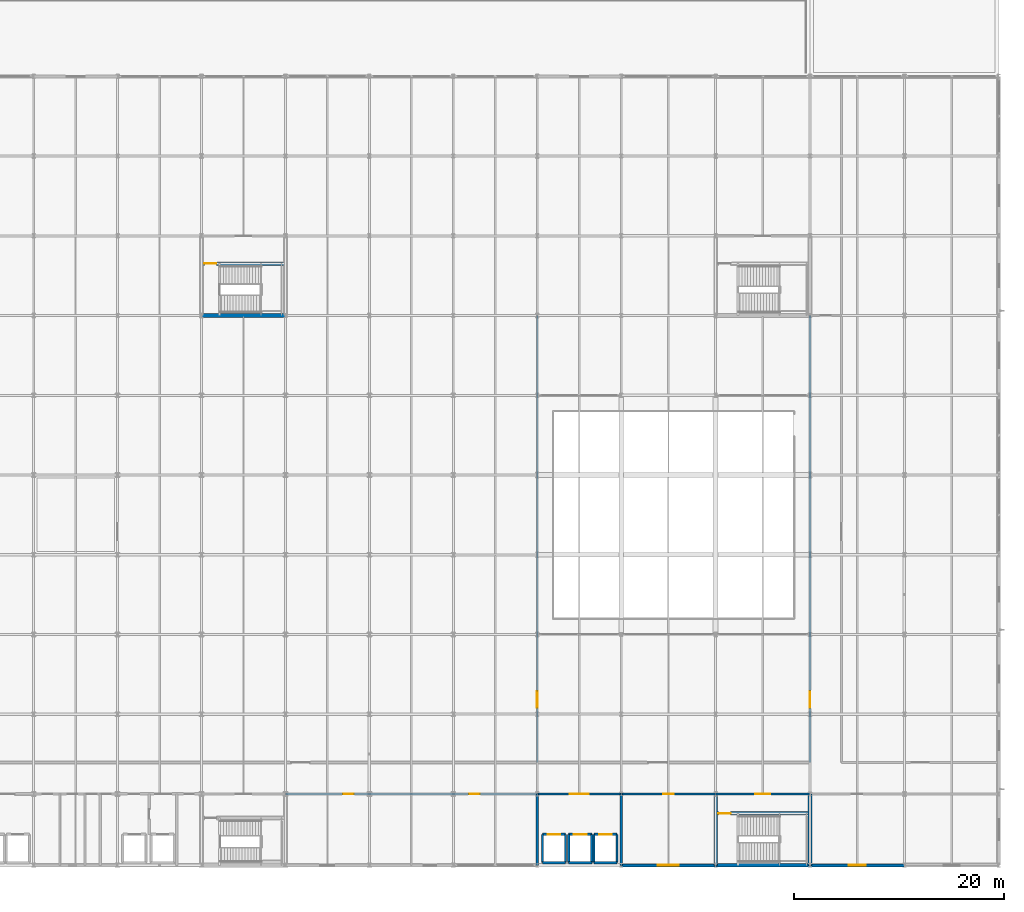
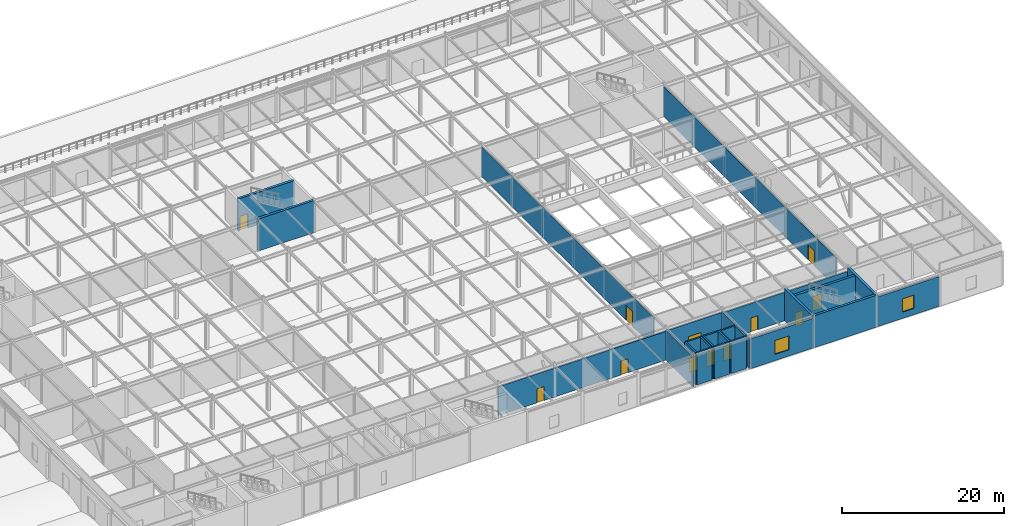
# One storey, part 61 of 79: 28 walls, 12 doors, 2 windows, 14 openings.
"""IFC4 building model written with IfcOpenShell, lengths in metres."""

from ifc_helpers import new_model, si_unit, direction, frame, frame_2d, origin, place, context, subcontext, project, spatial, rectangle, extrude, material, layer, layer_set, type_object, element, fill, save


model = new_model("IFC4")

# Units and contexts
model_context = context("Model", 3, precision=1e-05, world=origin(), true_north=direction((0.0, 1.0)))
body_context = subcontext(model_context, "Body", "Model", "MODEL_VIEW")
ifc_project = project(units=[si_unit("LENGTHUNIT", "METRE"), si_unit("AREAUNIT", "SQUARE_METRE"), si_unit("VOLUMEUNIT", "CUBIC_METRE"), si_unit("PLANEANGLEUNIT", "RADIAN"), si_unit("MASSUNIT", "GRAM", prefix="KILO")], contexts=[model_context])

# Site, building, storey
site_placement = place(None, origin())
site = spatial("IfcSite", under=ifc_project, at=site_placement, CompositionType="ELEMENT")
building_placement = place(site_placement, origin())
building = spatial("IfcBuilding", under=site, at=building_placement, Name="Shalkamar Park Central Library", CompositionType="ELEMENT")
storey_placement = place(building_placement, frame((0.0, 0.0, 10.5)))
storey = spatial("IfcBuildingStorey", under=building, at=storey_placement, Name="L03", CompositionType="ELEMENT", Elevation=10.5)

# Wall, opening, door
ifc_material_1 = material(Name="Acoustic insulated reading partition", Category="masonry")
ifc_layer_1 = layer(ifc_material_1, 0.139892578125)
ifc_layer_set_1 = layer_set([ifc_layer_1], Name="AcousticPartition_140")
wall_type_1 = type_object("IfcWallType", Name="Acoustic Partition 140", PredefinedType="PARTITIONING", material=ifc_layer_set_1)
wall_1_placement = place(storey_placement, frame((229.0, 258.199951171875, 0.0), z_axis=(0.0, 0.0, 1.0), x_axis=(0.0, 1.0, 0.0)))
wall_1 = element("IfcWall", 1, at=wall_1_placement, inside=storey, type_object=wall_type_1, Name="Interior Partition WL-INT-L03-025", PredefinedType="PARTITIONING", context=body_context, shape_type="SweptSolid", body=[
    extrude(rectangle(XDim=42.60009765625, YDim=0.139892578125, at=frame_2d((21.300048828125, 0.0))), origin(), (0.0, 0.0, 1.0), 4.47802734375),
])
opening_1_placement = place(wall_1_placement, frame((5.199951171875, 0.0, 0.0)))
opening_1 = element("IfcOpeningElement", 2, at=opening_1_placement, cuts=wall_1, Name="Opening DR-L03-025", PredefinedType="OPENING", context=body_context, shape_type="SweptSolid", body=[
    extrude(rectangle(XDim=1.60009765625, YDim=2.25, at=frame_2d((0.800048828125, 1.125))), frame((0.0, 0.0849609375, 0.0), z_axis=(0.0, -1.0, 0.0), x_axis=(1.0, 0.0, 0.0)), (0.0, 0.0, 1.0), 0.169677734375),
])
ifc_material_2 = material(Name="Steel S355", Category="steel")
door_type_1 = type_object("IfcDoorType", Name="Interior Door Double 1600x2250", OperationType="DOUBLE_DOOR_SINGLE_SWING", PredefinedType="DOOR", material=ifc_material_2)
door_1_placement = place(opening_1_placement, origin())
door_1 = element("IfcDoor", 3, at=door_1_placement, inside=storey, type_object=door_type_1, Name="Atrium L03 West Gallery Door", OperationType="DOUBLE_DOOR_SINGLE_SWING", OverallHeight=2.25, OverallWidth=1.60009765625, PredefinedType="DOOR", context=body_context, shape_type="SweptSolid", body=[
    extrude(rectangle(XDim=1.60009765625, YDim=2.25, at=frame_2d((0.800048828125, 1.125))), frame((0.0, 0.02490234375, 0.0), z_axis=(0.0, -1.0, 0.0), x_axis=(1.0, 0.0, 0.0)), (0.0, 0.0, 1.0), 0.050048828125),
])
fill(opening_1, door_1)

ifc_material_3 = material(Name="Fire-rated corridor partition wall", Category="masonry")
ifc_layer_2 = layer(ifc_material_3, 0.199951171875)
ifc_layer_set_2 = layer_set([ifc_layer_2], Name="CorridorFireWall_200")
wall_type_2 = type_object("IfcWallType", Name="Corridor Fire Wall 200", PredefinedType="PARTITIONING", material=ifc_layer_set_2)
wall_2_placement = place(storey_placement, frame((246.0, 255.199951171875, 0.0), z_axis=(0.0, 0.0, 1.0), x_axis=(1.0, 0.0, 0.0)))
wall_2 = element("IfcWall", 4, at=wall_2_placement, inside=storey, type_object=wall_type_2, Name="CORE-P3 Vestibule North Wall (L03)", PredefinedType="PARTITIONING", context=body_context, shape_type="SweptSolid", body=[
    extrude(rectangle(XDim=9.0, YDim=0.199951171875, at=frame_2d((4.5, 0.0))), origin(), (0.0, 0.0, 1.0), 4.2880859375),
])
opening_2_placement = place(wall_2_placement, frame((3.77490234375, 0.0, 0.0)))
opening_2 = element("IfcOpeningElement", 5, at=opening_2_placement, cuts=wall_2, Name="Opening DR-ST-P3-L03-VEST", PredefinedType="OPENING", context=body_context, shape_type="SweptSolid", body=[
    extrude(rectangle(XDim=1.449951171875, YDim=2.199951171875, at=frame_2d((0.72509765625, 1.10009765625))), frame((0.0, 0.11474609375, 0.0), z_axis=(0.0, -1.0, 0.0), x_axis=(1.0, 0.0, 0.0)), (0.0, 0.0, 1.0), 0.229736328125),
])
door_type_2 = type_object("IfcDoorType", Name="Stair Vestibule Door 1450x2200", OperationType="DOUBLE_DOOR_SINGLE_SWING", PredefinedType="DOOR", material=ifc_material_2)
door_2_placement = place(opening_2_placement, frame((1.449951171875, 0.0, 0.0), z_axis=(0.0, 0.0, 1.0), x_axis=(-1.0, 0.0, 0.0)))
door_2 = element("IfcDoor", 6, at=door_2_placement, inside=storey, type_object=door_type_2, Name="Protected Stair ST-P3 Vestibule Door (L03)", OperationType="DOUBLE_DOOR_SINGLE_SWING", OverallHeight=2.199951171875, OverallWidth=1.449951171875, PredefinedType="DOOR", context=body_context, shape_type="SweptSolid", body=[
    extrude(rectangle(XDim=1.449951171875, YDim=2.199951171875, at=frame_2d((0.72509765625, 1.10009765625))), frame((0.0, 0.02490234375, 0.0), z_axis=(0.0, -1.0, 0.0), x_axis=(1.0, 0.0, 0.0)), (0.0, 0.0, 1.0), 0.050048828125),
])
fill(opening_2, door_2)

wall_3_placement = place(storey_placement, frame((229.0, 255.199951171875, 0.0), z_axis=(0.0, 0.0, 1.0), x_axis=(1.0, 0.0, 0.0)))
wall_3 = element("IfcWall", 7, at=wall_3_placement, inside=storey, type_object=wall_type_2, Name="Interior Partition WL-INT-L03-012", PredefinedType="PARTITIONING", context=body_context, shape_type="SweptSolid", body=[
    extrude(rectangle(XDim=8.0, YDim=0.199951171875, at=frame_2d((4.0, 0.0))), origin(), (0.0, 0.0, 1.0), 4.387939453125),
])
opening_3_placement = place(wall_3_placement, frame((3.10009765625, 0.0, 0.0)))
opening_3 = element("IfcOpeningElement", 8, at=opening_3_placement, cuts=wall_3, Name="Opening DR-L03-012", PredefinedType="OPENING", context=body_context, shape_type="SweptSolid", body=[
    extrude(rectangle(XDim=1.800048828125, YDim=2.39990234375, at=frame_2d((0.89990234375, 1.199951171875))), frame((0.0, 0.11474609375, 0.0), z_axis=(0.0, -1.0, 0.0), x_axis=(1.0, 0.0, 0.0)), (0.0, 0.0, 1.0), 0.229736328125),
])
door_type_3 = type_object("IfcDoorType", Name="Interior Door Double 1800x2400", OperationType="DOUBLE_DOOR_SINGLE_SWING", PredefinedType="DOOR", material=ifc_material_2)
door_3_placement = place(opening_3_placement, origin())
door_3 = element("IfcDoor", 9, at=door_3_placement, inside=storey, type_object=door_type_3, Name="Podium Lift Lobby Entrance", OperationType="DOUBLE_DOOR_SINGLE_SWING", OverallHeight=2.39990234375, OverallWidth=1.800048828125, PredefinedType="DOOR", context=body_context, shape_type="SweptSolid", body=[
    extrude(rectangle(XDim=1.800048828125, YDim=2.39990234375, at=frame_2d((0.89990234375, 1.199951171875))), frame((0.0, 0.02490234375, 0.0), z_axis=(0.0, -1.0, 0.0), x_axis=(1.0, 0.0, 0.0)), (0.0, 0.0, 1.0), 0.050048828125),
])
fill(opening_3, door_3)

# Wall, openings, doors
wall_4_placement = place(storey_placement, frame((205.0, 255.199951171875, 0.0), z_axis=(0.0, 0.0, 1.0), x_axis=(1.0, 0.0, 0.0)))
wall_4 = element("IfcWall", 10, at=wall_4_placement, inside=storey, type_object=wall_type_2, Name="Interior Partition WL-INT-L03-014", PredefinedType="PARTITIONING", context=body_context, shape_type="SweptSolid", body=[
    extrude(rectangle(XDim=24.0, YDim=0.199951171875, at=frame_2d((12.0, 0.0))), origin(), (0.0, 0.0, 1.0), 4.337890625),
])
opening_4_placement = place(wall_4_placement, frame((5.5, 0.0, 0.0)))
opening_4 = element("IfcOpeningElement", 11, at=opening_4_placement, cuts=wall_4, Name="Opening DR-L03-014", PredefinedType="OPENING", context=body_context, shape_type="SweptSolid", body=[
    extrude(rectangle(XDim=1.0, YDim=2.10009765625, at=frame_2d((0.5, 1.050048828125))), frame((0.0, 0.11474609375, 0.0), z_axis=(0.0, -1.0, 0.0), x_axis=(1.0, 0.0, 0.0)), (0.0, 0.0, 1.0), 0.229736328125),
])
opening_5_placement = place(wall_4_placement, frame((17.5, 0.0, 0.0)))
opening_5 = element("IfcOpeningElement", 12, at=opening_5_placement, cuts=wall_4, Name="Opening DR-L03-015", PredefinedType="OPENING", context=body_context, shape_type="SweptSolid", body=[
    extrude(rectangle(XDim=1.0, YDim=2.10009765625, at=frame_2d((0.5, 1.050048828125))), frame((0.0, 0.11474609375, 0.0), z_axis=(0.0, -1.0, 0.0), x_axis=(1.0, 0.0, 0.0)), (0.0, 0.0, 1.0), 0.229736328125),
])
door_type_4 = type_object("IfcDoorType", Name="Interior Door Single 1000x2100", OperationType="NOTDEFINED", PredefinedType="DOOR", material=ifc_material_2)
door_4_placement = place(opening_4_placement, frame((1.0, 0.0, 0.0), z_axis=(0.0, 0.0, 1.0), x_axis=(-1.0, 0.0, 0.0)))
door_4 = element("IfcDoor", 13, at=door_4_placement, inside=storey, type_object=door_type_4, Name="L03 South Seminar Door", OperationType="SINGLE_SWING_RIGHT", OverallHeight=2.10009765625, OverallWidth=1.0, PredefinedType="DOOR", context=body_context, shape_type="SweptSolid", body=[
    extrude(rectangle(XDim=1.0, YDim=2.10009765625, at=frame_2d((0.5, 1.050048828125))), frame((0.0, 0.02490234375, 0.0), z_axis=(0.0, -1.0, 0.0), x_axis=(1.0, 0.0, 0.0)), (0.0, 0.0, 1.0), 0.050048828125),
])
fill(opening_4, door_4)
door_5_placement = place(opening_5_placement, frame((1.0, 0.0, 0.0), z_axis=(0.0, 0.0, 1.0), x_axis=(-1.0, 0.0, 0.0)))
door_5 = element("IfcDoor", 14, at=door_5_placement, inside=storey, type_object=door_type_4, Name="L03 South Study Door", OperationType="SINGLE_SWING_LEFT", OverallHeight=2.10009765625, OverallWidth=1.0, PredefinedType="DOOR", context=body_context, shape_type="SweptSolid", body=[
    extrude(rectangle(XDim=1.0, YDim=2.10009765625, at=frame_2d((0.5, 1.050048828125))), frame((0.0, 0.02490234375, 0.0), z_axis=(0.0, -1.0, 0.0), x_axis=(1.0, 0.0, 0.0)), (0.0, 0.0, 1.0), 0.050048828125),
])
fill(opening_5, door_5)

# Wall, opening, door
wall_5_placement = place(storey_placement, frame((237.0, 255.199951171875, 0.0), z_axis=(0.0, 0.0, 1.0), x_axis=(1.0, 0.0, 0.0)))
wall_5 = element("IfcWall", 15, at=wall_5_placement, inside=storey, type_object=wall_type_2, Name="Interior Partition WL-INT-L03-016", PredefinedType="PARTITIONING", context=body_context, shape_type="SweptSolid", body=[
    extrude(rectangle(XDim=9.0, YDim=0.199951171875, at=frame_2d((4.5, 0.0))), origin(), (0.0, 0.0, 1.0), 4.2880859375),
])
opening_6_placement = place(wall_5_placement, frame((4.0, 0.0, 0.0)))
opening_6 = element("IfcOpeningElement", 16, at=opening_6_placement, cuts=wall_5, Name="Opening DR-L03-016", PredefinedType="OPENING", context=body_context, shape_type="SweptSolid", body=[
    extrude(rectangle(XDim=1.0, YDim=2.10009765625, at=frame_2d((0.5, 1.050048828125))), frame((0.0, 0.11474609375, 0.0), z_axis=(0.0, -1.0, 0.0), x_axis=(1.0, 0.0, 0.0)), (0.0, 0.0, 1.0), 0.229736328125),
])
door_6_placement = place(opening_6_placement, frame((1.0, 0.0, 0.0), z_axis=(0.0, 0.0, 1.0), x_axis=(-1.0, 0.0, 0.0)))
door_6 = element("IfcDoor", 17, at=door_6_placement, inside=storey, type_object=door_type_4, Name="L03 Reference Desk Office Door", OperationType="SINGLE_SWING_RIGHT", OverallHeight=2.10009765625, OverallWidth=1.0, PredefinedType="DOOR", context=body_context, shape_type="SweptSolid", body=[
    extrude(rectangle(XDim=1.0, YDim=2.10009765625, at=frame_2d((0.5, 1.050048828125))), frame((0.0, 0.02490234375, 0.0), z_axis=(0.0, -1.0, 0.0), x_axis=(1.0, 0.0, 0.0)), (0.0, 0.0, 1.0), 0.050048828125),
])
fill(opening_6, door_6)

wall_6_placement = place(storey_placement, frame((255.0, 258.199951171875, 0.0), z_axis=(0.0, 0.0, 1.0), x_axis=(0.0, 1.0, 0.0)))
wall_6 = element("IfcWall", 18, at=wall_6_placement, inside=storey, type_object=wall_type_2, Name="Interior Partition WL-INT-L03-026", PredefinedType="PARTITIONING", context=body_context, shape_type="SweptSolid", body=[
    extrude(rectangle(XDim=42.60009765625, YDim=0.199951171875, at=frame_2d((21.300048828125, 0.0))), origin(), (0.0, 0.0, 1.0), 4.47802734375),
])
opening_7_placement = place(wall_6_placement, frame((5.199951171875, 0.0, 0.0)))
opening_7 = element("IfcOpeningElement", 19, at=opening_7_placement, cuts=wall_6, Name="Opening DR-L03-026", PredefinedType="OPENING", context=body_context, shape_type="SweptSolid", body=[
    extrude(rectangle(XDim=1.60009765625, YDim=2.25, at=frame_2d((0.800048828125, 1.125))), frame((0.0, 0.11474609375, 0.0), z_axis=(0.0, -1.0, 0.0), x_axis=(1.0, 0.0, 0.0)), (0.0, 0.0, 1.0), 0.229736328125),
])
door_7_placement = place(opening_7_placement, origin())
door_7 = element("IfcDoor", 20, at=door_7_placement, inside=storey, type_object=door_type_1, Name="Atrium L03 East Gallery Door", OperationType="DOUBLE_DOOR_SINGLE_SWING", OverallHeight=2.25, OverallWidth=1.60009765625, PredefinedType="DOOR", context=body_context, shape_type="SweptSolid", body=[
    extrude(rectangle(XDim=1.60009765625, YDim=2.25, at=frame_2d((0.800048828125, 1.125))), frame((0.0, 0.02490234375, 0.0), z_axis=(0.0, -1.0, 0.0), x_axis=(1.0, 0.0, 0.0)), (0.0, 0.0, 1.0), 0.050048828125),
])
fill(opening_7, door_7)

# Walls
ifc_material_4 = material(Name="Concrete C40/50", Category="concrete")
ifc_layer_3 = layer(ifc_material_4, 0.219970703125)
ifc_layer_set_3 = layer_set([ifc_layer_3], Name="Concrete C40/50")
wall_type_3 = type_object("IfcWallType", Name="Lift Hoistway Shear Wall 220", PredefinedType="SHEAR", material=ifc_layer_set_3)
wall_7_placement = place(storey_placement, frame((229.5, 248.64990234375, 0.0), z_axis=(0.0, 0.0, 1.0), x_axis=(1.0, 0.0, 0.0)))
element("IfcWall", 21, at=wall_7_placement, inside=storey, type_object=wall_type_3, Name="Lift LP-01 Hoistway South Wall (L03)", PredefinedType="SHEAR", context=body_context, shape_type="SweptSolid", body=[
    extrude(rectangle(XDim=2.199951171875, YDim=0.219970703125, at=frame_2d((1.10009765625, 0.0))), origin(), (0.0, 0.0, 1.0), 4.840087890625),
])
for number, where, z_axis, x_axis, name in (
    (22, (229.5, 248.64990234375, 0.0), (0.0, 0.0, 1.0), (0.0, 1.0, 0.0), "Lift LP-01 Hoistway West Wall (L03)"),
    (23, (231.699951171875, 248.64990234375, 0.0), (0.0, 0.0, 1.0), (0.0, 1.0, 0.0), "Lift LP-01 Hoistway East Wall (L03)"),
):
    element("IfcWall", number, at=place(storey_placement, frame(where, z_axis=z_axis, x_axis=x_axis)), inside=storey, type_object=wall_type_3, Name=name, PredefinedType="SHEAR", context=body_context, shape_type="SweptSolid", body=[
        extrude(rectangle(XDim=2.7001953125, YDim=0.219970703125, at=frame_2d((1.35009765625, 0.0))), origin(), (0.0, 0.0, 1.0), 4.840087890625),
    ])

# Wall, opening, door
wall_8_placement = place(storey_placement, frame((229.5, 251.35009765625, 0.0), z_axis=(0.0, 0.0, 1.0), x_axis=(1.0, 0.0, 0.0)))
wall_8 = element("IfcWall", 24, at=wall_8_placement, inside=storey, type_object=wall_type_3, Name="Lift LP-01 Hoistway Front Wall (L03)", PredefinedType="SHEAR", context=body_context, shape_type="SweptSolid", body=[
    extrude(rectangle(XDim=2.199951171875, YDim=0.219970703125, at=frame_2d((1.10009765625, 0.0))), origin(), (0.0, 0.0, 1.0), 4.840087890625),
])
opening_8_placement = place(wall_8_placement, frame((0.5, 0.0, 0.0)))
opening_8 = element("IfcOpeningElement", 25, at=opening_8_placement, cuts=wall_8, Name="Opening LD-LP-01-L03", PredefinedType="OPENING", context=body_context, shape_type="SweptSolid", body=[
    extrude(rectangle(XDim=1.199951171875, YDim=2.199951171875, at=frame_2d((0.60009765625, 1.10009765625))), frame((0.0, 0.125, 0.0), z_axis=(0.0, -1.0, 0.0), x_axis=(1.0, 0.0, 0.0)), (0.0, 0.0, 1.0), 0.249755859375),
])
door_type_5 = type_object("IfcDoorType", Name="Podium Lift Landing Door 1200x2200", OperationType="DOUBLE_DOOR_SLIDING", PredefinedType="USERDEFINED", material=ifc_material_2)
door_8_placement = place(opening_8_placement, origin())
door_8 = element("IfcDoor", 26, at=door_8_placement, inside=storey, type_object=door_type_5, Name="Lift LP-01 Sliding Landing Door (L03)", ObjectType="SLIDING LANDING DOOR", OperationType="DOUBLE_DOOR_SLIDING", OverallHeight=2.199951171875, OverallWidth=1.199951171875, PredefinedType="USERDEFINED", context=body_context, shape_type="SweptSolid", body=[
    extrude(rectangle(XDim=1.199951171875, YDim=2.199951171875, at=frame_2d((0.60009765625, 1.10009765625))), frame((0.0, 0.02490234375, 0.0), z_axis=(0.0, -1.0, 0.0), x_axis=(1.0, 0.0, 0.0)), (0.0, 0.0, 1.0), 0.050048828125),
])
fill(opening_8, door_8)

# Walls
wall_9_placement = place(storey_placement, frame((232.0, 248.64990234375, 0.0), z_axis=(0.0, 0.0, 1.0), x_axis=(1.0, 0.0, 0.0)))
element("IfcWall", 27, at=wall_9_placement, inside=storey, type_object=wall_type_3, Name="Lift LP-02 Hoistway South Wall (L03)", PredefinedType="SHEAR", context=body_context, shape_type="SweptSolid", body=[
    extrude(rectangle(XDim=2.199951171875, YDim=0.219970703125, at=frame_2d((1.10009765625, 0.0))), origin(), (0.0, 0.0, 1.0), 4.840087890625),
])
for number, where, z_axis, x_axis, name in (
    (28, (232.0, 248.64990234375, 0.0), (0.0, 0.0, 1.0), (0.0, 1.0, 0.0), "Lift LP-02 Hoistway West Wall (L03)"),
    (29, (234.199951171875, 248.64990234375, 0.0), (0.0, 0.0, 1.0), (0.0, 1.0, 0.0), "Lift LP-02 Hoistway East Wall (L03)"),
):
    element("IfcWall", number, at=place(storey_placement, frame(where, z_axis=z_axis, x_axis=x_axis)), inside=storey, type_object=wall_type_3, Name=name, PredefinedType="SHEAR", context=body_context, shape_type="SweptSolid", body=[
        extrude(rectangle(XDim=2.7001953125, YDim=0.219970703125, at=frame_2d((1.35009765625, 0.0))), origin(), (0.0, 0.0, 1.0), 4.840087890625),
    ])

# Wall, opening, door
wall_10_placement = place(storey_placement, frame((232.0, 251.35009765625, 0.0), z_axis=(0.0, 0.0, 1.0), x_axis=(1.0, 0.0, 0.0)))
wall_10 = element("IfcWall", 30, at=wall_10_placement, inside=storey, type_object=wall_type_3, Name="Lift LP-02 Hoistway Front Wall (L03)", PredefinedType="SHEAR", context=body_context, shape_type="SweptSolid", body=[
    extrude(rectangle(XDim=2.199951171875, YDim=0.219970703125, at=frame_2d((1.10009765625, 0.0))), origin(), (0.0, 0.0, 1.0), 4.840087890625),
])
opening_9_placement = place(wall_10_placement, frame((0.5, 0.0, 0.0)))
opening_9 = element("IfcOpeningElement", 31, at=opening_9_placement, cuts=wall_10, Name="Opening LD-LP-02-L03", PredefinedType="OPENING", context=body_context, shape_type="SweptSolid", body=[
    extrude(rectangle(XDim=1.199951171875, YDim=2.199951171875, at=frame_2d((0.60009765625, 1.10009765625))), frame((0.0, 0.125, 0.0), z_axis=(0.0, -1.0, 0.0), x_axis=(1.0, 0.0, 0.0)), (0.0, 0.0, 1.0), 0.249755859375),
])
door_9_placement = place(opening_9_placement, origin())
door_9 = element("IfcDoor", 32, at=door_9_placement, inside=storey, type_object=door_type_5, Name="Lift LP-02 Sliding Landing Door (L03)", ObjectType="SLIDING LANDING DOOR", OperationType="DOUBLE_DOOR_SLIDING", OverallHeight=2.199951171875, OverallWidth=1.199951171875, PredefinedType="USERDEFINED", context=body_context, shape_type="SweptSolid", body=[
    extrude(rectangle(XDim=1.199951171875, YDim=2.199951171875, at=frame_2d((0.60009765625, 1.10009765625))), frame((0.0, 0.02490234375, 0.0), z_axis=(0.0, -1.0, 0.0), x_axis=(1.0, 0.0, 0.0)), (0.0, 0.0, 1.0), 0.050048828125),
])
fill(opening_9, door_9)

# Walls
wall_11_placement = place(storey_placement, frame((234.39990234375, 248.64990234375, 0.0), z_axis=(0.0, 0.0, 1.0), x_axis=(1.0, 0.0, 0.0)))
element("IfcWall", 33, at=wall_11_placement, inside=storey, type_object=wall_type_3, Name="Lift LP-03 Hoistway South Wall (L03)", PredefinedType="SHEAR", context=body_context, shape_type="SweptSolid", body=[
    extrude(rectangle(XDim=2.2001953125, YDim=0.219970703125, at=frame_2d((1.10009765625, 0.0))), origin(), (0.0, 0.0, 1.0), 4.840087890625),
])
for number, where, z_axis, x_axis, name in (
    (34, (234.39990234375, 248.64990234375, 0.0), (0.0, 0.0, 1.0), (0.0, 1.0, 0.0), "Lift LP-03 Hoistway West Wall (L03)"),
    (35, (236.60009765625, 248.64990234375, 0.0), (0.0, 0.0, 1.0), (0.0, 1.0, 0.0), "Lift LP-03 Hoistway East Wall (L03)"),
):
    element("IfcWall", number, at=place(storey_placement, frame(where, z_axis=z_axis, x_axis=x_axis)), inside=storey, type_object=wall_type_3, Name=name, PredefinedType="SHEAR", context=body_context, shape_type="SweptSolid", body=[
        extrude(rectangle(XDim=2.7001953125, YDim=0.219970703125, at=frame_2d((1.35009765625, 0.0))), origin(), (0.0, 0.0, 1.0), 4.840087890625),
    ])

# Wall, opening, door
wall_12_placement = place(storey_placement, frame((234.39990234375, 251.35009765625, 0.0), z_axis=(0.0, 0.0, 1.0), x_axis=(1.0, 0.0, 0.0)))
wall_12 = element("IfcWall", 36, at=wall_12_placement, inside=storey, type_object=wall_type_3, Name="Lift LP-03 Hoistway Front Wall (L03)", PredefinedType="SHEAR", context=body_context, shape_type="SweptSolid", body=[
    extrude(rectangle(XDim=2.2001953125, YDim=0.219970703125, at=frame_2d((1.10009765625, 0.0))), origin(), (0.0, 0.0, 1.0), 4.840087890625),
])
opening_10_placement = place(wall_12_placement, frame((0.5, 0.0, 0.0)))
opening_10 = element("IfcOpeningElement", 37, at=opening_10_placement, cuts=wall_12, Name="Opening LD-LP-03-L03", PredefinedType="OPENING", context=body_context, shape_type="SweptSolid", body=[
    extrude(rectangle(XDim=1.199951171875, YDim=2.199951171875, at=frame_2d((0.60009765625, 1.10009765625))), frame((0.0, 0.125, 0.0), z_axis=(0.0, -1.0, 0.0), x_axis=(1.0, 0.0, 0.0)), (0.0, 0.0, 1.0), 0.249755859375),
])
door_10_placement = place(opening_10_placement, origin())
door_10 = element("IfcDoor", 38, at=door_10_placement, inside=storey, type_object=door_type_5, Name="Lift LP-03 Sliding Landing Door (L03)", ObjectType="SLIDING LANDING DOOR", OperationType="DOUBLE_DOOR_SLIDING", OverallHeight=2.199951171875, OverallWidth=1.199951171875, PredefinedType="USERDEFINED", context=body_context, shape_type="SweptSolid", body=[
    extrude(rectangle(XDim=1.199951171875, YDim=2.199951171875, at=frame_2d((0.60009765625, 1.10009765625))), frame((0.0, 0.02490234375, 0.0), z_axis=(0.0, -1.0, 0.0), x_axis=(1.0, 0.0, 0.0)), (0.0, 0.0, 1.0), 0.050048828125),
])
fill(opening_10, door_10)

# Walls
ifc_layer_4 = layer(ifc_material_4, 0.35009765625)
ifc_layer_set_4 = layer_set([ifc_layer_4], Name="Concrete C40/50")
wall_type_4 = type_object("IfcWallType", Name="Podium Core Shear Wall 350", PredefinedType="SHEAR", material=ifc_layer_set_4)
wall_13_placement = place(storey_placement, frame((246.0, 248.39990234375, 0.0), z_axis=(0.0, 0.0, 1.0), x_axis=(1.0, 0.0, 0.0)))
element("IfcWall", 39, at=wall_13_placement, inside=storey, type_object=wall_type_4, Name="CORE-P3 South Shear Wall (L03)", PredefinedType="SHEAR", context=body_context, shape_type="SweptSolid", body=[
    extrude(rectangle(XDim=9.0, YDim=0.35009765625, at=frame_2d((4.5, 0.0))), origin(), (0.0, 0.0, 1.0), 4.840087890625),
])
for number, where, z_axis, x_axis, name in (
    (40, (246.0, 248.39990234375, 0.0), (0.0, 0.0, 1.0), (0.0, 1.0, 0.0), "CORE-P3 West Shear Wall (L03)"),
    (41, (255.0, 248.39990234375, 0.0), (0.0, 0.0, 1.0), (0.0, 1.0, 0.0), "CORE-P3 East Shear Wall (L03)"),
):
    element("IfcWall", number, at=place(storey_placement, frame(where, z_axis=z_axis, x_axis=x_axis)), inside=storey, type_object=wall_type_4, Name=name, PredefinedType="SHEAR", context=body_context, shape_type="SweptSolid", body=[
        extrude(rectangle(XDim=6.800048828125, YDim=0.35009765625, at=frame_2d((3.39990234375, 0.0))), origin(), (0.0, 0.0, 1.0), 4.840087890625),
    ])

# Wall, opening, door
wall_14_placement = place(storey_placement, frame((246.0, 253.35009765625, 0.0), z_axis=(0.0, 0.0, 1.0), x_axis=(1.0, 0.0, 0.0)))
wall_14 = element("IfcWall", 42, at=wall_14_placement, inside=storey, type_object=wall_type_4, Name="CORE-P3 Stairwell Wall (L03)", PredefinedType="SHEAR", context=body_context, shape_type="SweptSolid", body=[
    extrude(rectangle(XDim=9.0, YDim=0.35009765625, at=frame_2d((4.5, 0.0))), origin(), (0.0, 0.0, 1.0), 4.840087890625),
])
opening_11_placement = place(wall_14_placement, frame((0.27490234375, 0.0, 0.0)))
opening_11 = element("IfcOpeningElement", 43, at=opening_11_placement, cuts=wall_14, Name="Opening DR-ST-P3-L03-IN", PredefinedType="OPENING", context=body_context, shape_type="SweptSolid", body=[
    extrude(rectangle(XDim=1.14990234375, YDim=2.14990234375, at=frame_2d((0.574951171875, 1.074951171875))), frame((0.0, 0.18994140625, 0.0), z_axis=(0.0, -1.0, 0.0), x_axis=(1.0, 0.0, 0.0)), (0.0, 0.0, 1.0), 0.3798828125),
])
door_type_6 = type_object("IfcDoorType", Name="Stair Core Exit Door 1150x2150", OperationType="NOTDEFINED", PredefinedType="DOOR", material=ifc_material_2)
door_11_placement = place(opening_11_placement, frame((1.14990234375, 0.0, 0.0), z_axis=(0.0, 0.0, 1.0), x_axis=(-1.0, 0.0, 0.0)))
door_11 = element("IfcDoor", 44, at=door_11_placement, inside=storey, type_object=door_type_6, Name="Protected Stair ST-P3 Exit Door (L03)", OperationType="SINGLE_SWING_RIGHT", OverallHeight=2.14990234375, OverallWidth=1.14990234375, PredefinedType="DOOR", context=body_context, shape_type="SweptSolid", body=[
    extrude(rectangle(XDim=1.14990234375, YDim=2.14990234375, at=frame_2d((0.574951171875, 1.074951171875))), frame((0.0, 0.02490234375, 0.0), z_axis=(0.0, -1.0, 0.0), x_axis=(1.0, 0.0, 0.0)), (0.0, 0.0, 1.0), 0.050048828125),
])
fill(opening_11, door_11)

# Wall
wall_15_placement = place(storey_placement, frame((197.0, 300.800048828125, 0.0), z_axis=(0.0, 0.0, 1.0), x_axis=(1.0, 0.0, 0.0)))
element("IfcWall", 45, at=wall_15_placement, inside=storey, type_object=wall_type_4, Name="CORE-P7 South Shear Wall (L03)", PredefinedType="SHEAR", context=body_context, shape_type="SweptSolid", body=[
    extrude(rectangle(XDim=8.0, YDim=0.35009765625, at=frame_2d((4.0, 0.0))), origin(), (0.0, 0.0, 1.0), 4.840087890625),
])

# Wall, opening, door
wall_16_placement = place(storey_placement, frame((197.0, 305.75, 0.0), z_axis=(0.0, 0.0, 1.0), x_axis=(1.0, 0.0, 0.0)))
wall_16 = element("IfcWall", 46, at=wall_16_placement, inside=storey, type_object=wall_type_4, Name="CORE-P7 Stairwell Wall (L03)", PredefinedType="SHEAR", context=body_context, shape_type="SweptSolid", body=[
    extrude(rectangle(XDim=8.0, YDim=0.35009765625, at=frame_2d((4.0, 0.0))), origin(), (0.0, 0.0, 1.0), 4.840087890625),
])
opening_12_placement = place(wall_16_placement, frame((0.27490234375, 0.0, 0.0)))
opening_12 = element("IfcOpeningElement", 47, at=opening_12_placement, cuts=wall_16, Name="Opening DR-ST-P7-L03-IN", PredefinedType="OPENING", context=body_context, shape_type="SweptSolid", body=[
    extrude(rectangle(XDim=1.14990234375, YDim=2.14990234375, at=frame_2d((0.574951171875, 1.074951171875))), frame((0.0, 0.18994140625, 0.0), z_axis=(0.0, -1.0, 0.0), x_axis=(1.0, 0.0, 0.0)), (0.0, 0.0, 1.0), 0.3798828125),
])
door_12_placement = place(opening_12_placement, frame((1.14990234375, 0.0, 0.0), z_axis=(0.0, 0.0, 1.0), x_axis=(-1.0, 0.0, 0.0)))
door_12 = element("IfcDoor", 48, at=door_12_placement, inside=storey, type_object=door_type_6, Name="Protected Stair ST-P7 Exit Door (L03)", OperationType="SINGLE_SWING_RIGHT", OverallHeight=2.14990234375, OverallWidth=1.14990234375, PredefinedType="DOOR", context=body_context, shape_type="SweptSolid", body=[
    extrude(rectangle(XDim=1.14990234375, YDim=2.14990234375, at=frame_2d((0.574951171875, 1.074951171875))), frame((0.0, 0.02490234375, 0.0), z_axis=(0.0, -1.0, 0.0), x_axis=(1.0, 0.0, 0.0)), (0.0, 0.0, 1.0), 0.050048828125),
])
fill(opening_12, door_12)

# Walls
ifc_material_5 = material(Name="Fire-rated shaft enclosure wall", Category="masonry")
ifc_layer_5 = layer(ifc_material_5, 0.219970703125)
ifc_layer_set_5 = layer_set([ifc_layer_5], Name="ShaftWall_220")
wall_type_5 = type_object("IfcWallType", Name="Shaft Wall 220", PredefinedType="PARTITIONING", material=ifc_layer_set_5)
for number, where, z_axis, x_axis, name in (
    (49, (229.0, 248.39990234375, 0.0), (0.0, 0.0, 1.0), (0.0, 1.0, 0.0), "Interior Partition WL-INT-L03-010"),
    (50, (237.0, 248.39990234375, 0.0), (0.0, 0.0, 1.0), (0.0, 1.0, 0.0), "Interior Partition WL-INT-L03-011"),
):
    element("IfcWall", number, at=place(storey_placement, frame(where, z_axis=z_axis, x_axis=x_axis)), inside=storey, type_object=wall_type_5, Name=name, PredefinedType="PARTITIONING", context=body_context, shape_type="SweptSolid", body=[
        extrude(rectangle(XDim=6.800048828125, YDim=0.219970703125, at=frame_2d((3.39990234375, 0.0))), origin(), (0.0, 0.0, 1.0), 4.47802734375),
    ])

# Wall, opening, window
ifc_material_6 = material(Name="Travertine insulated rainscreen", Category="masonry")
ifc_layer_6 = layer(ifc_material_6, 0.2900390625)
ifc_layer_set_6 = layer_set([ifc_layer_6], Name="TravertineTerracottaWall_290")
wall_type_6 = type_object("IfcWallType", Name="Travertine Terracotta Wall 290", PredefinedType="SOLIDWALL", material=ifc_layer_set_6)
wall_17_placement = place(storey_placement, frame((237.006103515625, 248.39990234375, 0.0), z_axis=(0.0, 0.0, 1.0), x_axis=(1.0, 0.0, 0.0)))
wall_17 = element("IfcWall", 51, at=wall_17_placement, inside=storey, type_object=wall_type_6, Name="Exterior Facade Wall WL-EXT-L03-089", PredefinedType="SOLIDWALL", context=body_context, shape_type="SweptSolid", body=[
    extrude(rectangle(XDim=8.98779296875, YDim=0.2900390625, at=frame_2d((4.493896484375, 0.0))), origin(), (0.0, 0.0, 1.0), 4.488037109375),
])
opening_13_placement = place(wall_17_placement, frame((3.493896484375, 0.0, 0.949951171875)))
opening_13 = element("IfcOpeningElement", 52, at=opening_13_placement, cuts=wall_17, Name="Opening WN-11", PredefinedType="OPENING", context=body_context, shape_type="SweptSolid", body=[
    extrude(rectangle(XDim=2.0, YDim=2.10009765625, at=frame_2d((1.0, 1.050048828125))), frame((0.0, 0.159912109375, 0.0), z_axis=(0.0, -1.0, 0.0), x_axis=(1.0, 0.0, 0.0)), (0.0, 0.0, 1.0), 0.31982421875),
])
ifc_material_7 = material(Name="Thermally broken aluminium and triple low-e glass", Category="glass")
window_type_1 = type_object("IfcWindowType", Name="Tower Window 2000x2100", PartitioningType="DOUBLE_PANEL_VERTICAL", PredefinedType="WINDOW", material=ifc_material_7)
window_1_placement = place(opening_13_placement, origin())
window_1 = element("IfcWindow", 53, at=window_1_placement, inside=storey, type_object=window_type_1, Name="Facade Window WN-L03-053", OverallHeight=2.10009765625, OverallWidth=2.0, PartitioningType="DOUBLE_PANEL_VERTICAL", PredefinedType="WINDOW", context=body_context, shape_type="SweptSolid", body=[
    extrude(rectangle(XDim=2.0, YDim=2.10009765625, at=frame_2d((1.0, 1.050048828125))), frame((0.0, 0.030029296875, 0.0), z_axis=(0.0, -1.0, 0.0), x_axis=(1.0, 0.0, 0.0)), (0.0, 0.0, 1.0), 0.06005859375),
])
fill(opening_13, window_1)

wall_18_placement = place(storey_placement, frame((255.006103515625, 248.39990234375, 0.0), z_axis=(0.0, 0.0, 1.0), x_axis=(1.0, 0.0, 0.0)))
wall_18 = element("IfcWall", 54, at=wall_18_placement, inside=storey, type_object=wall_type_6, Name="Exterior Facade Wall WL-EXT-L03-090", PredefinedType="SOLIDWALL", context=body_context, shape_type="SweptSolid", body=[
    extrude(rectangle(XDim=8.98779296875, YDim=0.2900390625, at=frame_2d((4.493896484375, 0.0))), origin(), (0.0, 0.0, 1.0), 4.488037109375),
])
opening_14_placement = place(wall_18_placement, frame((3.694091796875, 0.0, 0.949951171875)))
opening_14 = element("IfcOpeningElement", 55, at=opening_14_placement, cuts=wall_18, Name="Opening WN-13", PredefinedType="OPENING", context=body_context, shape_type="SweptSolid", body=[
    extrude(rectangle(XDim=1.60009765625, YDim=2.0, at=frame_2d((0.800048828125, 1.0))), frame((0.0, 0.159912109375, 0.0), z_axis=(0.0, -1.0, 0.0), x_axis=(1.0, 0.0, 0.0)), (0.0, 0.0, 1.0), 0.31982421875),
])
window_type_2 = type_object("IfcWindowType", Name="Tower Window 1600x2000", PartitioningType="SINGLE_PANEL", PredefinedType="WINDOW", material=ifc_material_7)
window_2_placement = place(opening_14_placement, origin())
window_2 = element("IfcWindow", 56, at=window_2_placement, inside=storey, type_object=window_type_2, Name="Facade Window WN-L03-054", OverallHeight=2.0, OverallWidth=1.60009765625, PartitioningType="SINGLE_PANEL", PredefinedType="WINDOW", context=body_context, shape_type="SweptSolid", body=[
    extrude(rectangle(XDim=1.60009765625, YDim=2.0, at=frame_2d((0.800048828125, 1.0))), frame((0.0, 0.030029296875, 0.0), z_axis=(0.0, -1.0, 0.0), x_axis=(1.0, 0.0, 0.0)), (0.0, 0.0, 1.0), 0.06005859375),
])
fill(opening_14, window_2)

save(model, "model.ifc")
